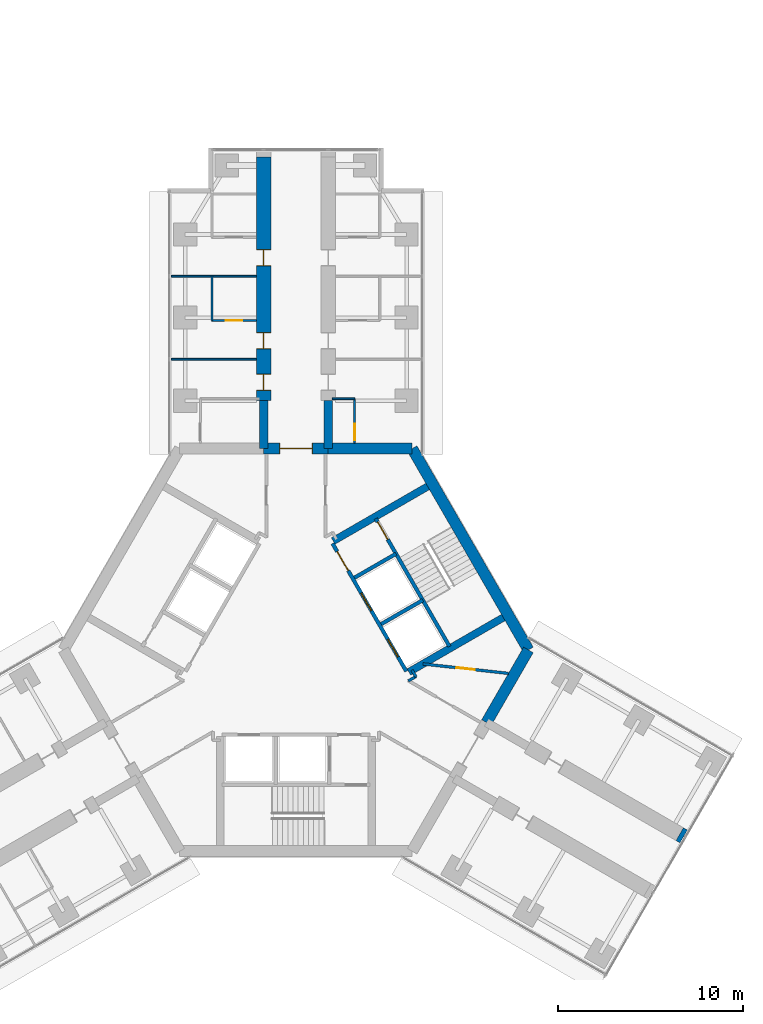
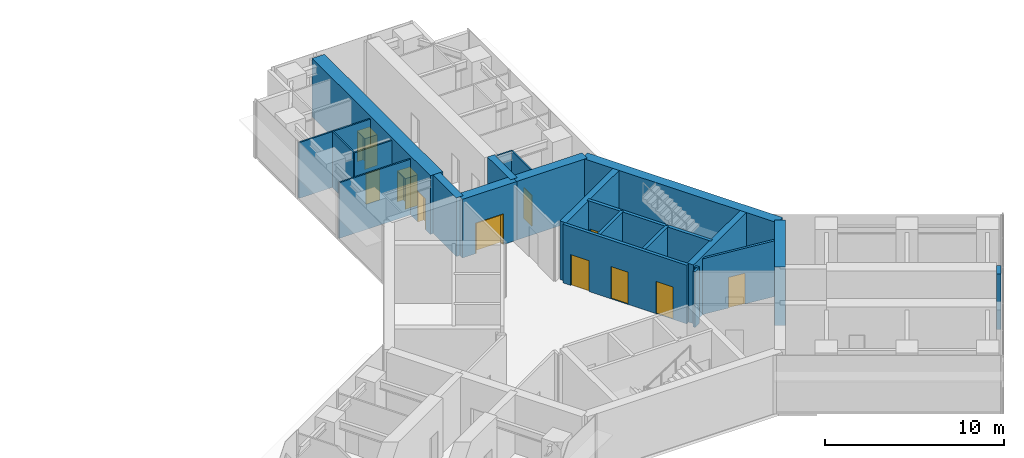
# One storey, part 20 of 23: 23 walls, 11 doors, 11 openings.
"""IFC4 building model written with IfcOpenShell, lengths in metres."""

from ifc_helpers import new_model, si_unit, direction, frame, frame_2d, origin, place, context, subcontext, project, spatial, rectangle, extrude, material, layer, layer_set, type_object, element, fill, save


model = new_model("IFC4")

# Units and contexts
model_context = context("Model", 3, precision=1e-05, world=origin(), true_north=direction((0.0, 1.0)))
body_context = subcontext(model_context, "Body", "Model", "MODEL_VIEW")
ifc_project = project(units=[si_unit("LENGTHUNIT", "METRE"), si_unit("AREAUNIT", "SQUARE_METRE"), si_unit("VOLUMEUNIT", "CUBIC_METRE"), si_unit("PLANEANGLEUNIT", "RADIAN"), si_unit("MASSUNIT", "GRAM", prefix="KILO")], contexts=[model_context])

# Site, building, storey
site_placement = place(None, origin())
site = spatial("IfcSite", under=ifc_project, at=site_placement, CompositionType="ELEMENT")
building_placement = place(site_placement, origin())
building = spatial("IfcBuilding", under=site, at=building_placement, Name="Upepo Twin Towers", CompositionType="ELEMENT")
storey_placement = place(building_placement, frame((0.0, 0.0, 149.5)))
storey = spatial("IfcBuildingStorey", under=building, at=storey_placement, Name="L36", CompositionType="ELEMENT", Elevation=149.5)

# Walls
ifc_material_1 = material(Name="Dense concrete blockwork", Category="masonry")
ifc_layer_1 = layer(ifc_material_1, 0.800048828125)
ifc_layer_set_1 = layer_set([ifc_layer_1], Name="Buttress closer 800, blockwork with fire-stopping to the curtain wall")
wall_type_1 = type_object("IfcWallType", Name="Buttress closer 800, blockwork with fire-stopping to the curtain wall", PredefinedType="PARTITIONING", material=ifc_layer_set_1)
wall_1_placement = place(storey_placement, frame((79.293701171875, -27.984375, 0.0), z_axis=(0.0, 0.0, 1.0), x_axis=(0.865827443207, -0.500342721131, 0.0)))
element("IfcWall", 1, at=wall_1_placement, inside=storey, type_object=wall_type_1, Name="T2 L36 wing C buttress closer L", PredefinedType="PARTITIONING", context=body_context, shape_type="SweptSolid", body=[
    extrude(rectangle(XDim=0.249755859375, YDim=0.800048828125, at=frame_2d((0.125, 0.0))), origin(), (0.0, 0.0, 1.0), 3.800048828125),
])
ifc_material_2 = material(Name="Concrete C60/75", Category="concrete")
ifc_layer_2 = layer(ifc_material_2, 0.449951171875)
ifc_layer_set_2 = layer_set([ifc_layer_2], Name="Concrete C60/75")
wall_type_2 = type_object("IfcWallType", Name="Buttress wall 450 RC", PredefinedType="SHEAR", material=ifc_layer_set_2)
for number, where, z_axis, x_axis, name in (
    (2, (56.75, -7.091552734375, 0.0), (0.0, 0.0, 1.0), (0.0, 1.0, 0.0), "T2 wing A buttress wall L"),
    (3, (60.25, -7.091552734375, 0.0), (0.0, 0.0, 1.0), (0.0, 1.0, 0.0), "T2 wing A buttress wall R"),
):
    element("IfcWall", number, at=place(storey_placement, frame(where, z_axis=z_axis, x_axis=x_axis)), inside=storey, type_object=wall_type_2, Name=name, PredefinedType="SHEAR", context=body_context, shape_type="SweptSolid", body=[
        extrude(rectangle(XDim=2.591552734375, YDim=0.449951171875, at=frame_2d((1.2958984375, 0.0))), origin(), (0.0, 0.0, 1.0), 4.0),
    ])

# Wall, openings, doors
ifc_material_3 = material(Name="Concrete C60/75", Category="concrete")
ifc_layer_3 = layer(ifc_material_3, 0.800048828125)
ifc_layer_set_3 = layer_set([ifc_layer_3], Name="Concrete C60/75")
wall_type_3 = type_object("IfcWallType", Name="Buttress wall 800 RC", PredefinedType="SHEAR", material=ifc_layer_set_3)
wall_2_placement = place(storey_placement, frame((56.75, -4.5, 0.0), z_axis=(0.0, 0.0, 1.0), x_axis=(0.0, 1.0, 0.0)))
wall_2 = element("IfcWall", 4, at=wall_2_placement, inside=storey, type_object=wall_type_3, Name="T2 wing A buttress wall L part 2", PredefinedType="SHEAR", context=body_context, shape_type="SweptSolid", body=[
    extrude(rectangle(XDim=13.199951171875, YDim=0.800048828125, at=frame_2d((6.60009765625, 0.0))), origin(), (0.0, 0.0, 1.0), 4.0),
])
opening_1_placement = place(wall_2_placement, frame((0.550048828125, 0.0, 0.0)))
opening_1 = element("IfcOpeningElement", 5, at=opening_1_placement, cuts=wall_2, Name="Opening D11", PredefinedType="OPENING", context=body_context, shape_type="SweptSolid", body=[
    extrude(rectangle(XDim=0.89990234375, YDim=2.10009765625, at=frame_2d((0.449951171875, 1.050048828125))), frame((0.0, 0.409912109375, 0.0), z_axis=(0.0, -1.0, 0.0), x_axis=(1.0, 0.0, 0.0)), (0.0, 0.0, 1.0), 0.820068359375),
])
opening_2_placement = place(wall_2_placement, frame((2.800048828125, 0.0, 0.0)))
opening_2 = element("IfcOpeningElement", 6, at=opening_2_placement, cuts=wall_2, Name="Opening D14", PredefinedType="OPENING", context=body_context, shape_type="SweptSolid", body=[
    extrude(rectangle(XDim=0.89990234375, YDim=2.10009765625, at=frame_2d((0.449951171875, 1.050048828125))), frame((0.0, 0.409912109375, 0.0), z_axis=(0.0, -1.0, 0.0), x_axis=(1.0, 0.0, 0.0)), (0.0, 0.0, 1.0), 0.820068359375),
])
opening_3_placement = place(wall_2_placement, frame((7.300048828125, 0.0, 0.0)))
opening_3 = element("IfcOpeningElement", 7, at=opening_3_placement, cuts=wall_2, Name="Opening D14", PredefinedType="OPENING", context=body_context, shape_type="SweptSolid", body=[
    extrude(rectangle(XDim=0.89990234375, YDim=2.10009765625, at=frame_2d((0.449951171875, 1.050048828125))), frame((0.0, 0.409912109375, 0.0), z_axis=(0.0, -1.0, 0.0), x_axis=(1.0, 0.0, 0.0)), (0.0, 0.0, 1.0), 0.820068359375),
])
ifc_material_4 = material(Name="Timber doorset", Category="wood")
door_type_1 = type_object("IfcDoorType", Name="Office door 900 FD30", OperationType="SINGLE_SWING_LEFT", PredefinedType="DOOR", material=ifc_material_4)
door_1_placement = place(opening_2_placement, origin())
door_1 = element("IfcDoor", 8, at=door_1_placement, inside=storey, type_object=door_type_1, Name="T2 L36 staff office door", OperationType="SINGLE_SWING_LEFT", OverallHeight=2.10009765625, OverallWidth=0.89990234375, PredefinedType="DOOR", context=body_context, shape_type="SweptSolid", body=[
    extrude(rectangle(XDim=0.81990234375, YDim=2.06009765625, at=frame_2d((0.449951171875, 1.030029296875))), frame((0.0, 0.02490234375, 0.0), z_axis=(0.0, -1.0, 0.0), x_axis=(1.0, 0.0, 0.0)), (0.0, 0.0, 1.0), 0.050048828125),
    extrude(rectangle(XDim=0.04, YDim=2.10009765625, at=frame_2d((0.02001953125, 1.050048828125))), frame((0.0, 0.39990234375, 0.0), z_axis=(0.0, -1.0, 0.0), x_axis=(1.0, 0.0, 0.0)), (0.0, 0.0, 1.0), 0.799560546875),
    extrude(rectangle(XDim=0.04, YDim=2.10009765625, at=frame_2d((0.8798828125, 1.050048828125))), frame((0.0, 0.39990234375, 0.0), z_axis=(0.0, -1.0, 0.0), x_axis=(1.0, 0.0, 0.0)), (0.0, 0.0, 1.0), 0.799560546875),
    extrude(rectangle(XDim=0.81990234375, YDim=0.04, at=frame_2d((0.449951171875, 2.080078125))), frame((0.0, 0.39990234375, 0.0), z_axis=(0.0, -1.0, 0.0), x_axis=(1.0, 0.0, 0.0)), (0.0, 0.0, 1.0), 0.799560546875),
])
fill(opening_2, door_1)
door_2_placement = place(opening_3_placement, origin())
door_2 = element("IfcDoor", 9, at=door_2_placement, inside=storey, type_object=door_type_1, Name="T2 L36 meeting room door", OperationType="SINGLE_SWING_RIGHT", OverallHeight=2.10009765625, OverallWidth=0.89990234375, PredefinedType="DOOR", context=body_context, shape_type="SweptSolid", body=[
    extrude(rectangle(XDim=0.81990234375, YDim=2.06009765625, at=frame_2d((0.449951171875, 1.030029296875))), frame((0.0, 0.02490234375, 0.0), z_axis=(0.0, -1.0, 0.0), x_axis=(1.0, 0.0, 0.0)), (0.0, 0.0, 1.0), 0.050048828125),
    extrude(rectangle(XDim=0.04, YDim=2.10009765625, at=frame_2d((0.02001953125, 1.050048828125))), frame((0.0, 0.39990234375, 0.0), z_axis=(0.0, -1.0, 0.0), x_axis=(1.0, 0.0, 0.0)), (0.0, 0.0, 1.0), 0.799560546875),
    extrude(rectangle(XDim=0.04, YDim=2.10009765625, at=frame_2d((0.8798828125, 1.050048828125))), frame((0.0, 0.39990234375, 0.0), z_axis=(0.0, -1.0, 0.0), x_axis=(1.0, 0.0, 0.0)), (0.0, 0.0, 1.0), 0.799560546875),
    extrude(rectangle(XDim=0.81990234375, YDim=0.04, at=frame_2d((0.449951171875, 2.080078125))), frame((0.0, 0.39990234375, 0.0), z_axis=(0.0, -1.0, 0.0), x_axis=(1.0, 0.0, 0.0)), (0.0, 0.0, 1.0), 0.799560546875),
])
fill(opening_3, door_2)
ifc_material_5 = material(Name="Timber doorset", Category="wood")
door_type_2 = type_object("IfcDoorType", Name="Toilet door 900", OperationType="SINGLE_SWING_LEFT", PredefinedType="DOOR", material=ifc_material_5)
door_3_placement = place(opening_1_placement, origin())
door_3 = element("IfcDoor", 10, at=door_3_placement, inside=storey, type_object=door_type_2, Name="T2 L36 accessible wc door", OperationType="SINGLE_SWING_LEFT", OverallHeight=2.10009765625, OverallWidth=0.89990234375, PredefinedType="DOOR", context=body_context, shape_type="SweptSolid", body=[
    extrude(rectangle(XDim=0.81990234375, YDim=2.06009765625, at=frame_2d((0.449951171875, 1.030029296875))), frame((0.0, 0.02490234375, 0.0), z_axis=(0.0, -1.0, 0.0), x_axis=(1.0, 0.0, 0.0)), (0.0, 0.0, 1.0), 0.050048828125),
    extrude(rectangle(XDim=0.04, YDim=2.10009765625, at=frame_2d((0.02001953125, 1.050048828125))), frame((0.0, 0.39990234375, 0.0), z_axis=(0.0, -1.0, 0.0), x_axis=(1.0, 0.0, 0.0)), (0.0, 0.0, 1.0), 0.799560546875),
    extrude(rectangle(XDim=0.04, YDim=2.10009765625, at=frame_2d((0.8798828125, 1.050048828125))), frame((0.0, 0.39990234375, 0.0), z_axis=(0.0, -1.0, 0.0), x_axis=(1.0, 0.0, 0.0)), (0.0, 0.0, 1.0), 0.799560546875),
    extrude(rectangle(XDim=0.81990234375, YDim=0.04, at=frame_2d((0.449951171875, 2.080078125))), frame((0.0, 0.39990234375, 0.0), z_axis=(0.0, -1.0, 0.0), x_axis=(1.0, 0.0, 0.0)), (0.0, 0.0, 1.0), 0.799560546875),
])
fill(opening_1, door_3)

# Wall
ifc_material_6 = material(Name="Concrete C60/75", Category="concrete")
ifc_layer_4 = layer(ifc_material_6, 0.60009765625)
ifc_layer_set_4 = layer_set([ifc_layer_4], Name="Concrete C60/75")
wall_type_4 = type_object("IfcWallType", Name="Core wall 600 RC", PredefinedType="SHEAR", material=ifc_layer_set_4)
wall_3_placement = place(storey_placement, frame((64.7978515625, -7.091552734375, 0.0), z_axis=(0.0, 0.0, 1.0), x_axis=(-1.0, 0.0, 0.0)))
element("IfcWall", 11, at=wall_3_placement, inside=storey, type_object=wall_type_4, Name="T2 core wall 000 R", PredefinedType="SHEAR", context=body_context, shape_type="SweptSolid", body=[
    extrude(rectangle(XDim=4.5478515625, YDim=0.60009765625, at=frame_2d((2.27392578125, 0.0))), origin(), (0.0, 0.0, 1.0), 4.0),
])

# Wall, opening, door
wall_4_placement = place(storey_placement, frame((60.25, -7.091552734375, 0.0), z_axis=(0.0, 0.0, 1.0), x_axis=(-1.0, 0.0, 0.0)))
wall_4 = element("IfcWall", 12, at=wall_4_placement, inside=storey, type_object=wall_type_4, Name="T2 core wall 000", PredefinedType="SHEAR", context=body_context, shape_type="SweptSolid", body=[
    extrude(rectangle(XDim=3.5, YDim=0.60009765625, at=frame_2d((1.75, 0.0))), origin(), (0.0, 0.0, 1.0), 4.0),
])
opening_4_placement = place(wall_4_placement, frame((0.85009765625, 0.0, 0.0)))
opening_4 = element("IfcOpeningElement", 13, at=opening_4_placement, cuts=wall_4, Name="Opening D2", PredefinedType="OPENING", context=body_context, shape_type="SweptSolid", body=[
    extrude(rectangle(XDim=1.800048828125, YDim=2.10009765625, at=frame_2d((0.89990234375, 1.050048828125))), frame((0.0, 0.31005859375, 0.0), z_axis=(0.0, -1.0, 0.0), x_axis=(1.0, 0.0, 0.0)), (0.0, 0.0, 1.0), 0.6201171875),
])
ifc_material_7 = material(Name="Timber doorset", Category="wood")
door_type_3 = type_object("IfcDoorType", Name="Corridor double door 1800 FD60", OperationType="DOUBLE_DOOR_DOUBLE_SWING", PredefinedType="DOOR", material=ifc_material_7)
door_4_placement = place(opening_4_placement, origin())
door_4 = element("IfcDoor", 14, at=door_4_placement, inside=storey, type_object=door_type_3, Name="T2 L36 wing A corridor door", OperationType="DOUBLE_DOOR_DOUBLE_SWING", OverallHeight=2.10009765625, OverallWidth=1.800048828125, PredefinedType="DOOR", context=body_context, shape_type="SweptSolid", body=[
    extrude(rectangle(XDim=1.720048828125, YDim=2.06009765625, at=frame_2d((0.89990234375, 1.030029296875))), frame((0.0, 0.02490234375, 0.0), z_axis=(0.0, -1.0, 0.0), x_axis=(1.0, 0.0, 0.0)), (0.0, 0.0, 1.0), 0.050048828125),
    extrude(rectangle(XDim=0.04, YDim=2.10009765625, at=frame_2d((0.02001953125, 1.050048828125))), frame((0.0, 0.2998046875, 0.0), z_axis=(0.0, -1.0, 0.0), x_axis=(1.0, 0.0, 0.0)), (0.0, 0.0, 1.0), 0.599609375),
    extrude(rectangle(XDim=0.04, YDim=2.10009765625, at=frame_2d((1.780029296875, 1.050048828125))), frame((0.0, 0.2998046875, 0.0), z_axis=(0.0, -1.0, 0.0), x_axis=(1.0, 0.0, 0.0)), (0.0, 0.0, 1.0), 0.599609375),
    extrude(rectangle(XDim=1.720048828125, YDim=0.04, at=frame_2d((0.89990234375, 2.080078125))), frame((0.0, 0.2998046875, 0.0), z_axis=(0.0, -1.0, 0.0), x_axis=(1.0, 0.0, 0.0)), (0.0, 0.0, 1.0), 0.599609375),
])
fill(opening_4, door_4)

# Walls
wall_5_placement = place(storey_placement, frame((68.82177734375, -21.938720703125, 0.0), z_axis=(0.0, 0.0, 1.0), x_axis=(0.500024481964, 0.866011268655, 0.0)))
element("IfcWall", 15, at=wall_5_placement, inside=storey, type_object=wall_type_4, Name="T2 core wall 240 L", PredefinedType="SHEAR", context=body_context, shape_type="SweptSolid", body=[
    extrude(rectangle(XDim=4.548095703125, YDim=0.60009765625, at=frame_2d((2.27392578125, 0.0))), origin(), (0.0, 0.0, 1.0), 4.0),
])
wall_6_placement = place(storey_placement, frame((71.095947265625, -18.0, 0.0), z_axis=(0.0, 0.0, 1.0), x_axis=(-0.500005998175, 0.866021940709, 0.0)))
element("IfcWall", 16, at=wall_6_placement, inside=storey, type_object=wall_type_4, Name="T2 core wall 300", PredefinedType="SHEAR", context=body_context, shape_type="SweptSolid", body=[
    extrude(rectangle(XDim=12.595947265625, YDim=0.60009765625, at=frame_2d((6.2978515625, 0.0))), origin(), (0.0, 0.0, 1.0), 4.0),
])
ifc_material_8 = material(Name="Gypsum board on steel studs", Category="steel")
ifc_layer_5 = layer(ifc_material_8, 0.10009765625)
ifc_layer_set_5 = layer_set([ifc_layer_5], Name="Office partition 100 stud")
wall_type_5 = type_object("IfcWallType", Name="Office partition 100 stud", PredefinedType="PARTITIONING", material=ifc_layer_set_5)
for number, where, z_axis, x_axis, name in (
    (17, (56.35009765625, -2.25, 0.0), (0.0, 0.0, 1.0), (-1.0, 0.0, 0.0), "T2 partition AL at 15.75"),
    (18, (56.35009765625, 2.25, 0.0), (0.0, 0.0, 1.0), (-1.0, 0.0, 0.0), "T2 partition AL at 20.25"),
):
    element("IfcWall", number, at=place(storey_placement, frame(where, z_axis=z_axis, x_axis=x_axis)), inside=storey, type_object=wall_type_5, Name=name, PredefinedType="PARTITIONING", context=body_context, shape_type="SweptSolid", body=[
        extrude(rectangle(XDim=4.60009765625, YDim=0.10009765625, at=frame_2d((2.300048828125, 0.0))), origin(), (0.0, 0.0, 1.0), 3.800048828125),
    ])
wall_7_placement = place(storey_placement, frame((53.949951171875, -0.14990234375, 0.0), z_axis=(0.0, 0.0, 1.0), x_axis=(0.0, 1.0, 0.0)))
element("IfcWall", 19, at=wall_7_placement, inside=storey, type_object=wall_type_5, Name="T2 inner room partition AL at 17.85", PredefinedType="PARTITIONING", context=body_context, shape_type="SweptSolid", body=[
    extrude(rectangle(XDim=2.39990234375, YDim=0.10009765625, at=frame_2d((1.199951171875, 0.0))), origin(), (0.0, 0.0, 1.0), 3.800048828125),
])

# Wall, opening, door
wall_8_placement = place(storey_placement, frame((56.35009765625, -0.14990234375, 0.0), z_axis=(0.0, 0.0, 1.0), x_axis=(-1.0, 0.0, 0.0)))
wall_8 = element("IfcWall", 20, at=wall_8_placement, inside=storey, type_object=wall_type_5, Name="T2 inner room partition AL end at 17.85", PredefinedType="PARTITIONING", context=body_context, shape_type="SweptSolid", body=[
    extrude(rectangle(XDim=2.400146484375, YDim=0.10009765625, at=frame_2d((1.2001953125, 0.0))), origin(), (0.0, 0.0, 1.0), 3.800048828125),
])
opening_5_placement = place(wall_8_placement, frame((0.75, 0.0, 0.0)))
opening_5 = element("IfcOpeningElement", 21, at=opening_5_placement, cuts=wall_8, Name="Opening D14", PredefinedType="OPENING", context=body_context, shape_type="SweptSolid", body=[
    extrude(rectangle(XDim=0.89990234375, YDim=2.10009765625, at=frame_2d((0.449951171875, 1.050048828125))), frame((0.0, 0.06005859375, 0.0), z_axis=(0.0, -1.0, 0.0), x_axis=(1.0, 0.0, 0.0)), (0.0, 0.0, 1.0), 0.1201171875),
])
door_5_placement = place(opening_5_placement, origin())
door_5 = element("IfcDoor", 22, at=door_5_placement, inside=storey, type_object=door_type_1, Name="T2 L36 inner room door", OperationType="SINGLE_SWING_LEFT", OverallHeight=2.10009765625, OverallWidth=0.89990234375, PredefinedType="DOOR", context=body_context, shape_type="SweptSolid", body=[
    extrude(rectangle(XDim=0.89990234375, YDim=2.10009765625, at=frame_2d((0.449951171875, 1.050048828125))), frame((0.0, 0.02490234375, 0.0), z_axis=(0.0, -1.0, 0.0), x_axis=(1.0, 0.0, 0.0)), (0.0, 0.0, 1.0), 0.050048828125),
])
fill(opening_5, door_5)

wall_9_placement = place(storey_placement, frame((61.675048828125, -6.7919921875, 0.0), z_axis=(0.0, 0.0, 1.0), x_axis=(0.0, 1.0, 0.0)))
wall_9 = element("IfcWall", 23, at=wall_9_placement, inside=storey, type_object=wall_type_5, Name="T2 WC bay partition AR at 11.21", PredefinedType="PARTITIONING", context=body_context, shape_type="SweptSolid", body=[
    extrude(rectangle(XDim=2.39990234375, YDim=0.10009765625, at=frame_2d((1.199951171875, 0.0))), origin(), (0.0, 0.0, 1.0), 3.800048828125),
])
opening_6_placement = place(wall_9_placement, frame((0.14990234375, 0.0, 0.0)))
opening_6 = element("IfcOpeningElement", 24, at=opening_6_placement, cuts=wall_9, Name="Opening D14", PredefinedType="OPENING", context=body_context, shape_type="SweptSolid", body=[
    extrude(rectangle(XDim=0.89990234375, YDim=2.10009765625, at=frame_2d((0.449951171875, 1.050048828125))), frame((0.0, 0.06005859375, 0.0), z_axis=(0.0, -1.0, 0.0), x_axis=(1.0, 0.0, 0.0)), (0.0, 0.0, 1.0), 0.1201171875),
])
door_6_placement = place(opening_6_placement, origin())
door_6 = element("IfcDoor", 25, at=door_6_placement, inside=storey, type_object=door_type_1, Name="T2 L36 WC bay inner room door", OperationType="SINGLE_SWING_LEFT", OverallHeight=2.10009765625, OverallWidth=0.89990234375, PredefinedType="DOOR", context=body_context, shape_type="SweptSolid", body=[
    extrude(rectangle(XDim=0.89990234375, YDim=2.10009765625, at=frame_2d((0.449951171875, 1.050048828125))), frame((0.0, 0.02490234375, 0.0), z_axis=(0.0, -1.0, 0.0), x_axis=(1.0, 0.0, 0.0)), (0.0, 0.0, 1.0), 0.050048828125),
])
fill(opening_6, door_6)

# Wall
wall_10_placement = place(storey_placement, frame((60.47509765625, -4.39208984375, 0.0), z_axis=(0.0, 0.0, 1.0), x_axis=(1.0, 0.0, 0.0)))
element("IfcWall", 26, at=wall_10_placement, inside=storey, type_object=wall_type_5, Name="T2 WC bay partition AR end at 13.61", PredefinedType="PARTITIONING", context=body_context, shape_type="SweptSolid", body=[
    extrude(rectangle(XDim=1.199951171875, YDim=0.10009765625, at=frame_2d((0.60009765625, 0.0))), origin(), (0.0, 0.0, 1.0), 3.800048828125),
])

# Wall, openings, doors
ifc_material_9 = material(Name="Concrete C40/50", Category="concrete")
ifc_layer_6 = layer(ifc_material_9, 0.199951171875)
ifc_layer_set_6 = layer_set([ifc_layer_6], Name="Concrete C40/50")
wall_type_6 = type_object("IfcWallType", Name="Shaft wall 200 RC", PredefinedType="SHEAR", material=ifc_layer_set_6)
wall_11_placement = place(storey_placement, frame((64.483642578125, -19.1640625, 0.0), z_axis=(0.0, 0.0, 1.0), x_axis=(-0.49999894854, 0.866026010844, 0.0)))
wall_11 = element("IfcWall", 27, at=wall_11_placement, inside=storey, type_object=wall_type_6, Name="T2 core W300 front wall", PredefinedType="SHEAR", context=body_context, shape_type="SweptSolid", body=[
    extrude(rectangle(XDim=8.0, YDim=0.199951171875, at=frame_2d((4.0, 0.0))), origin(), (0.0, 0.0, 1.0), 4.0),
])
opening_7_placement = place(wall_11_placement, frame((6.300048828125, 0.0, 0.0)))
opening_7 = element("IfcOpeningElement", 28, at=opening_7_placement, cuts=wall_11, Name="Opening D4", PredefinedType="OPENING", context=body_context, shape_type="SweptSolid", body=[
    extrude(rectangle(XDim=1.199951171875, YDim=2.10009765625, at=frame_2d((0.60009765625, 1.050048828125))), frame((0.0, 0.10986328125, 0.0), z_axis=(0.0, -1.0, 0.0), x_axis=(1.0, 0.0, 0.0)), (0.0, 0.0, 1.0), 0.219970703125),
])
opening_8_placement = place(wall_11_placement, frame((0.89990234375, 0.0, 0.0)))
opening_8 = element("IfcOpeningElement", 29, at=opening_8_placement, cuts=wall_11, Name="Opening LD1", PredefinedType="OPENING", context=body_context, shape_type="SweptSolid", body=[
    extrude(rectangle(XDim=1.10009765625, YDim=2.199951171875, at=frame_2d((0.550048828125, 1.10009765625))), frame((0.0, 0.10986328125, 0.0), z_axis=(0.0, -1.0, 0.0), x_axis=(1.0, 0.0, 0.0)), (0.0, 0.0, 1.0), 0.219970703125),
])
opening_9_placement = place(wall_11_placement, frame((3.800048828125, 0.0, 0.0)))
opening_9 = element("IfcOpeningElement", 30, at=opening_9_placement, cuts=wall_11, Name="Opening LD1", PredefinedType="OPENING", context=body_context, shape_type="SweptSolid", body=[
    extrude(rectangle(XDim=1.10009765625, YDim=2.199951171875, at=frame_2d((0.550048828125, 1.10009765625))), frame((0.0, 0.10986328125, 0.0), z_axis=(0.0, -1.0, 0.0), x_axis=(1.0, 0.0, 0.0)), (0.0, 0.0, 1.0), 0.219970703125),
])
ifc_material_10 = material(Name="Steel doorset", Category="steel")
door_type_4 = type_object("IfcDoorType", Name="Lift landing door 1100", OperationType="DOUBLE_DOOR_SLIDING", PredefinedType="DOOR", material=ifc_material_10)
door_7_placement = place(opening_8_placement, origin())
door_7 = element("IfcDoor", 31, at=door_7_placement, inside=storey, type_object=door_type_4, Name="T2 L36 lift ML1 landing door", OperationType="DOUBLE_DOOR_SLIDING", OverallHeight=2.199951171875, OverallWidth=1.10009765625, PredefinedType="DOOR", context=body_context, shape_type="SweptSolid", body=[
    extrude(rectangle(XDim=1.10009765625, YDim=2.199951171875, at=frame_2d((0.550048828125, 1.10009765625))), frame((0.0, 0.02490234375, 0.0), z_axis=(0.0, -1.0, 0.0), x_axis=(1.0, 0.0, 0.0)), (0.0, 0.0, 1.0), 0.050048828125),
])
fill(opening_8, door_7)
door_8_placement = place(opening_9_placement, origin())
door_8 = element("IfcDoor", 32, at=door_8_placement, inside=storey, type_object=door_type_4, Name="T2 L36 lift ML2 landing door", OperationType="DOUBLE_DOOR_SLIDING", OverallHeight=2.199951171875, OverallWidth=1.10009765625, PredefinedType="DOOR", context=body_context, shape_type="SweptSolid", body=[
    extrude(rectangle(XDim=1.10009765625, YDim=2.199951171875, at=frame_2d((0.550048828125, 1.10009765625))), frame((0.0, 0.02490234375, 0.0), z_axis=(0.0, -1.0, 0.0), x_axis=(1.0, 0.0, 0.0)), (0.0, 0.0, 1.0), 0.050048828125),
])
fill(opening_9, door_8)
ifc_material_11 = material(Name="Timber doorset", Category="wood")
door_type_5 = type_object("IfcDoorType", Name="Lobby door 1200 FD60", OperationType="SINGLE_SWING_LEFT", PredefinedType="DOOR", material=ifc_material_11)
door_9_placement = place(opening_7_placement, origin())
door_9 = element("IfcDoor", 33, at=door_9_placement, inside=storey, type_object=door_type_5, Name="T2 L36 W300 lobby door", OperationType="SINGLE_SWING_RIGHT", OverallHeight=2.10009765625, OverallWidth=1.199951171875, PredefinedType="DOOR", context=body_context, shape_type="SweptSolid", body=[
    extrude(rectangle(XDim=1.199951171875, YDim=2.10009765625, at=frame_2d((0.60009765625, 1.050048828125))), frame((0.0, 0.02490234375, 0.0), z_axis=(0.0, -1.0, 0.0), x_axis=(1.0, 0.0, 0.0)), (0.0, 0.0, 1.0), 0.050048828125),
])
fill(opening_7, door_9)

# Walls
wall_12_placement = place(storey_placement, frame((63.120361328125, -16.6025390625, 0.0), z_axis=(0.0, 0.0, 1.0), x_axis=(0.866062058628, 0.499936506574, 0.0)))
element("IfcWall", 34, at=wall_12_placement, inside=storey, type_object=wall_type_6, Name="T2 core W300 shaft divider", PredefinedType="SHEAR", context=body_context, shape_type="SweptSolid", body=[
    extrude(rectangle(XDim=2.599853515625, YDim=0.199951171875, at=frame_2d((1.2998046875, 0.0))), origin(), (0.0, 0.0, 1.0), 4.0),
])
wall_13_placement = place(storey_placement, frame((61.67041015625, -14.091064453125, 0.0), z_axis=(0.0, 0.0, 1.0), x_axis=(0.86603858612, 0.49997716683, 0.0)))
element("IfcWall", 35, at=wall_13_placement, inside=storey, type_object=wall_type_6, Name="T2 core W300 lobby wall", PredefinedType="SHEAR", context=body_context, shape_type="SweptSolid", body=[
    extrude(rectangle(XDim=2.599609375, YDim=0.199951171875, at=frame_2d((1.2998046875, 0.0))), origin(), (0.0, 0.0, 1.0), 4.0),
])

# Wall, opening, door
wall_14_placement = place(storey_placement, frame((66.822021484375, -17.814208984375, 0.0), z_axis=(0.0, 0.0, 1.0), x_axis=(-0.49999894854, 0.866026010844, 0.0)))
wall_14 = element("IfcWall", 36, at=wall_14_placement, inside=storey, type_object=wall_type_6, Name="T2 core W300 stair wall", PredefinedType="SHEAR", context=body_context, shape_type="SweptSolid", body=[
    extrude(rectangle(XDim=8.0, YDim=0.199951171875, at=frame_2d((4.0, 0.0))), origin(), (0.0, 0.0, 1.0), 4.0),
])
opening_10_placement = place(wall_14_placement, frame((6.699951171875, 0.0, 0.0)))
opening_10 = element("IfcOpeningElement", 37, at=opening_10_placement, cuts=wall_14, Name="Opening D3", PredefinedType="OPENING", context=body_context, shape_type="SweptSolid", body=[
    extrude(rectangle(XDim=1.10009765625, YDim=2.10009765625, at=frame_2d((0.550048828125, 1.050048828125))), frame((0.0, 0.10986328125, 0.0), z_axis=(0.0, -1.0, 0.0), x_axis=(1.0, 0.0, 0.0)), (0.0, 0.0, 1.0), 0.219970703125),
])
ifc_material_12 = material(Name="Timber doorset", Category="wood")
door_type_6 = type_object("IfcDoorType", Name="Stair door 1100 FD60", OperationType="SINGLE_SWING_LEFT", PredefinedType="DOOR", material=ifc_material_12)
door_10_placement = place(opening_10_placement, origin())
door_10 = element("IfcDoor", 38, at=door_10_placement, inside=storey, type_object=door_type_6, Name="T2 L36 stair door", OperationType="SINGLE_SWING_RIGHT", OverallHeight=2.10009765625, OverallWidth=1.10009765625, PredefinedType="DOOR", context=body_context, shape_type="SweptSolid", body=[
    extrude(rectangle(XDim=1.10009765625, YDim=2.10009765625, at=frame_2d((0.550048828125, 1.050048828125))), frame((0.0, 0.02490234375, 0.0), z_axis=(0.0, -1.0, 0.0), x_axis=(1.0, 0.0, 0.0)), (0.0, 0.0, 1.0), 0.050048828125),
])
fill(opening_10, door_10)

# Walls
ifc_material_13 = material(Name="Concrete C40/50", Category="concrete")
ifc_layer_7 = layer(ifc_material_13, 0.39990234375)
ifc_layer_set_7 = layer_set([ifc_layer_7], Name="Concrete C40/50")
wall_type_7 = type_object("IfcWallType", Name="Shaft wall 400 RC", PredefinedType="SHEAR", material=ifc_layer_set_7)
wall_15_placement = place(storey_placement, frame((60.520263671875, -12.099365234375, 0.0), z_axis=(0.0, 0.0, 1.0), x_axis=(0.866009424208, 0.500027676417, 0.0)))
element("IfcWall", 39, at=wall_15_placement, inside=storey, type_object=wall_type_7, Name="T2 core W300 side wall N", PredefinedType="SHEAR", context=body_context, shape_type="SweptSolid", body=[
    extrude(rectangle(XDim=5.908447265625, YDim=0.39990234375, at=frame_2d((2.9541015625, 0.0))), origin(), (0.0, 0.0, 1.0), 4.0),
])
wall_16_placement = place(storey_placement, frame((64.620361328125, -19.20068359375, 0.0), z_axis=(0.0, 0.0, 1.0), x_axis=(0.866027317282, 0.49999668571, 0.0)))
element("IfcWall", 40, at=wall_16_placement, inside=storey, type_object=wall_type_7, Name="T2 core W300 side wall S", PredefinedType="SHEAR", context=body_context, shape_type="SweptSolid", body=[
    extrude(rectangle(XDim=5.908203125, YDim=0.39990234375, at=frame_2d((2.9541015625, 0.0))), origin(), (0.0, 0.0, 1.0), 4.0),
])
ifc_material_14 = material(Name="Gypsum board on steel studs", Category="steel")
ifc_layer_8 = layer(ifc_material_14, 0.14990234375)
ifc_layer_set_8 = layer_set([ifc_layer_8], Name="Teaching partition 150 acoustic")
wall_type_8 = type_object("IfcWallType", Name="Teaching partition 150 acoustic", PredefinedType="PARTITIONING", material=ifc_layer_set_8)
wall_17_placement = place(storey_placement, frame((64.78857421875, -19.092041015625, 0.0), z_axis=(0.0, 0.0, 1.0), x_axis=(0.499804398801, -0.866138304741, 0.0)))
element("IfcWall", 41, at=wall_17_placement, inside=storey, type_object=wall_type_8, Name="T2 core room partition 12", PredefinedType="PARTITIONING", context=body_context, shape_type="SweptSolid", body=[
    extrude(rectangle(XDim=0.429931640625, YDim=0.14990234375, at=frame_2d((0.21484375, 0.0))), origin(), (0.0, 0.0, 1.0), 3.800048828125),
])
wall_18_placement = place(storey_placement, frame((65.0107421875, -19.43701171875, 0.0), z_axis=(0.0, 0.0, 1.0), x_axis=(-0.865831790172, -0.50033519877, 0.0)))
element("IfcWall", 42, at=wall_18_placement, inside=storey, type_object=wall_type_8, Name="T2 core room partition 13", PredefinedType="PARTITIONING", context=body_context, shape_type="SweptSolid", body=[
    extrude(rectangle(XDim=0.494384765625, YDim=0.14990234375, at=frame_2d((0.2470703125, 0.0))), origin(), (0.0, 0.0, 1.0), 3.800048828125),
])

# Wall, opening, door
wall_19_placement = place(storey_placement, frame((65.381103515625, -18.761474609375, 0.0), z_axis=(0.0, 0.0, 1.0), x_axis=(0.993932184458, -0.109994603044, 0.0)))
wall_19 = element("IfcWall", 43, at=wall_19_placement, inside=storey, type_object=wall_type_8, Name="T2 core room partition 19", PredefinedType="PARTITIONING", context=body_context, shape_type="SweptSolid", body=[
    extrude(rectangle(XDim=4.6611328125, YDim=0.14990234375, at=frame_2d((2.33056640625, 0.0))), origin(), (0.0, 0.0, 1.0), 3.800048828125),
])
opening_11_placement = place(wall_19_placement, frame((1.83056640625, 0.0, 0.0)))
opening_11 = element("IfcOpeningElement", 44, at=opening_11_placement, cuts=wall_19, Name="Opening D1", PredefinedType="OPENING", context=body_context, shape_type="SweptSolid", body=[
    extrude(rectangle(XDim=1.0, YDim=2.10009765625, at=frame_2d((0.5, 1.050048828125))), frame((0.0, 0.0849609375, 0.0), z_axis=(0.0, -1.0, 0.0), x_axis=(1.0, 0.0, 0.0)), (0.0, 0.0, 1.0), 0.169921875),
])
ifc_material_15 = material(Name="Timber doorset", Category="wood")
door_type_7 = type_object("IfcDoorType", Name="Room door 1000 FD30", OperationType="SINGLE_SWING_LEFT", PredefinedType="DOOR", material=ifc_material_15)
door_11_placement = place(opening_11_placement, origin())
door_11 = element("IfcDoor", 45, at=door_11_placement, inside=storey, type_object=door_type_7, Name="T2 L36 core room door K5", OperationType="SINGLE_SWING_LEFT", OverallHeight=2.10009765625, OverallWidth=1.0, PredefinedType="DOOR", context=body_context, shape_type="SweptSolid", body=[
    extrude(rectangle(XDim=1.0, YDim=2.10009765625, at=frame_2d((0.5, 1.050048828125))), frame((0.0, 0.02490234375, 0.0), z_axis=(0.0, -1.0, 0.0), x_axis=(1.0, 0.0, 0.0)), (0.0, 0.0, 1.0), 0.050048828125),
])
fill(opening_11, door_11)

save(model, "model.ifc")
